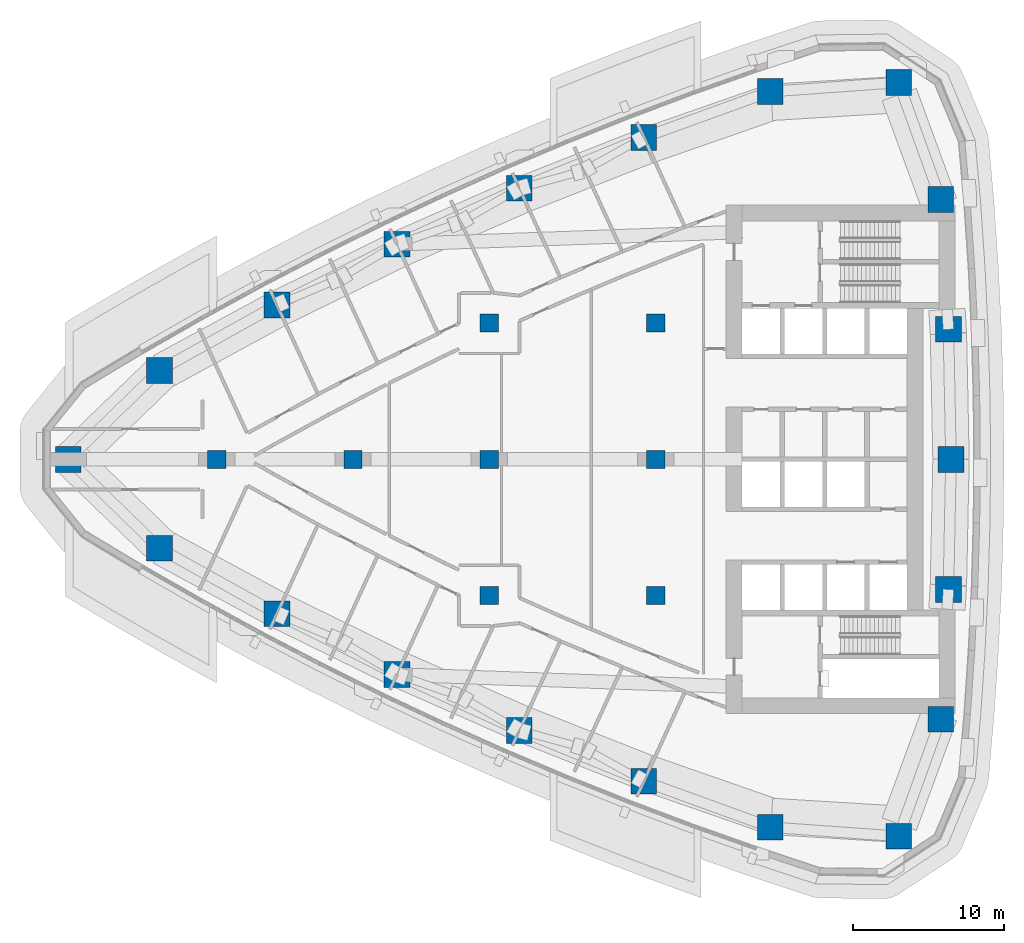
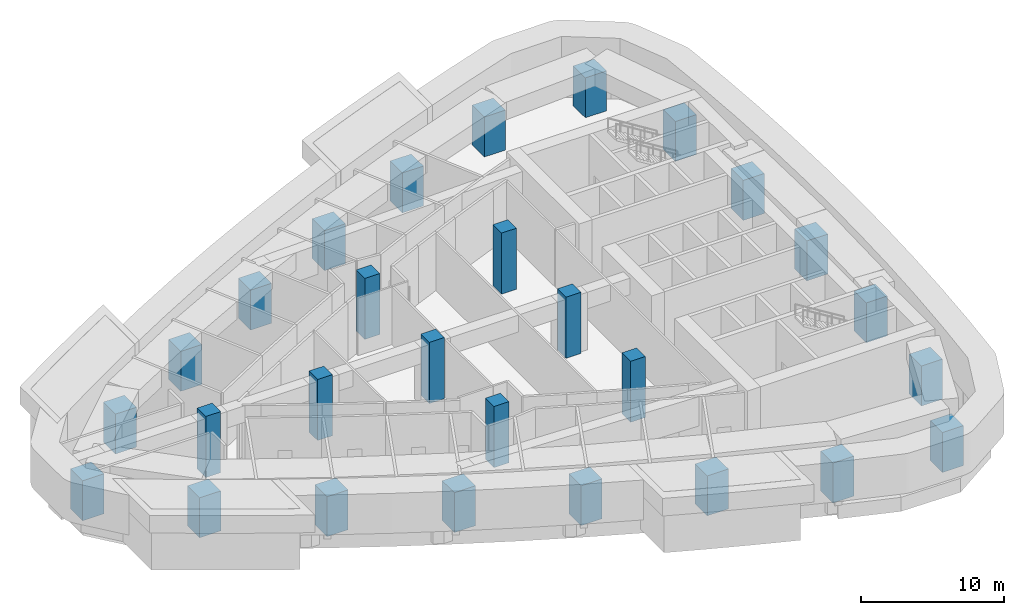
# One storey, part 1 of 19: 28 columns.
"""IFC4 building model written with IfcOpenShell, lengths in metres."""

from ifc_helpers import new_model, si_unit, direction, frame, origin, origin_2d, place, context, subcontext, project, spatial, rectangle, extrude, material, material_profile, profile_set, type_object, element, save


model = new_model("IFC4")

# Units and contexts
model_context = context("Model", 3, precision=1e-05, world=origin(), true_north=direction((0.0, 1.0)))
body_context = subcontext(model_context, "Body", "Model", "MODEL_VIEW")
ifc_project = project(units=[si_unit("LENGTHUNIT", "METRE"), si_unit("AREAUNIT", "SQUARE_METRE"), si_unit("VOLUMEUNIT", "CUBIC_METRE"), si_unit("PLANEANGLEUNIT", "RADIAN"), si_unit("MASSUNIT", "GRAM", prefix="KILO")], contexts=[model_context])

# Site, building, storey
site_placement = place(None, origin())
site = spatial("IfcSite", under=ifc_project, at=site_placement, CompositionType="ELEMENT")
building_placement = place(site_placement, origin())
building = spatial("IfcBuilding", under=site, at=building_placement, Name="Ostrand Prow Hotel Tower", CompositionType="ELEMENT")
storey_placement = place(building_placement, frame((0.0, 0.0, 120.39990234375)))
storey = spatial("IfcBuildingStorey", under=building, at=storey_placement, Name="L29", CompositionType="ELEMENT", Elevation=120.39990234375)

# Columns
ifc_material_1 = material(Name="Concrete C80/95", Category="concrete")
ifc_material_profile_1 = material_profile(ifc_material_1, rectangle(XDim=1.199951171875, YDim=1.199951171875, at=origin_2d()), Name="RC 1200x1200")
ifc_profile_set_1 = profile_set([ifc_material_profile_1], Name="Concrete C80/95")
column_type_1 = type_object("IfcColumnType", Name="Interior column 1200x1200 C80/95", PredefinedType="COLUMN", material=ifc_profile_set_1)
for number, where, z_axis, x_axis, name in (
    (1, (16.0, 0.0, 0.0), (0.0, 0.0, 1.0), (1.0, 0.0, 0.0), "Interior column 16C0"),
    (2, (25.0, 0.0, 0.0), (0.0, 0.0, 1.0), (1.0, 0.0, 0.0), "Interior column 25C0"),
    (3, (34.0, -9.0, 0.0), (0.0, 0.0, 1.0), (1.0, 0.0, 0.0), "Interior column 34S9"),
    (4, (34.0, 0.0, 0.0), (0.0, 0.0, 1.0), (1.0, 0.0, 0.0), "Interior column 34C0"),
    (5, (34.0, 9.0, 0.0), (0.0, 0.0, 1.0), (1.0, 0.0, 0.0), "Interior column 34N9"),
    (6, (45.0, -9.0, 0.0), (0.0, 0.0, 1.0), (1.0, 0.0, 0.0), "Interior column 45S9"),
    (7, (45.0, 0.0, 0.0), (0.0, 0.0, 1.0), (1.0, 0.0, 0.0), "Interior column 45C0"),
    (8, (45.0, 9.0, 0.0), (0.0, 0.0, 1.0), (1.0, 0.0, 0.0), "Interior column 45N9"),
):
    element("IfcColumn", number, at=place(storey_placement, frame(where, z_axis=z_axis, x_axis=x_axis)), inside=storey, type_object=column_type_1, Name=name, PredefinedType="COLUMN", context=body_context, shape_type="SweptSolid", body=[
        extrude(rectangle(XDim=1.199951171875, YDim=1.199951171875, at=origin_2d()), origin(), (0.0, 0.0, 1.0), 5.2001953125),
    ])
ifc_material_2 = material(Name="Concrete C80/95", Category="concrete")
ifc_material_profile_2 = material_profile(ifc_material_2, rectangle(XDim=1.699951171875, YDim=1.699951171875, at=origin_2d()), Name="RC 1700x1700")
ifc_profile_set_2 = profile_set([ifc_material_profile_2], Name="Concrete C80/95")
column_type_2 = type_object("IfcColumnType", Name="Stone-faced mega column 1700x1700 C80/95", PredefinedType="COLUMN", material=ifc_profile_set_2)
for number, where, z_axis, x_axis, name in (
    (9, (6.193115234375, 0.0, 0.0), (0.0, 0.0, 1.0), (1.0, 0.0, 0.0), "Mega column P"),
    (10, (12.221435546875, -5.876220703125, 0.0), (0.0, 0.0, 1.0), (1.0, 0.0, 0.0), "Mega column S1"),
    (11, (19.980712890625, -10.20166015625, 0.0), (0.0, 0.0, 1.0), (1.0, 0.0, 0.0), "Mega column S2"),
    (12, (27.906982421875, -14.212158203125, 0.0), (0.0, 0.0, 1.0), (1.0, 0.0, 0.0), "Mega column S3"),
    (13, (35.98828125, -17.901611328125, 0.0), (0.0, 0.0, 1.0), (1.0, 0.0, 0.0), "Mega column S4"),
    (14, (44.210693359375, -21.263671875, 0.0), (0.0, 0.0, 1.0), (1.0, 0.0, 0.0), "Mega column S5"),
    (15, (52.561767578125, -24.29296875, 0.0), (0.0, 0.0, 1.0), (1.0, 0.0, 0.0), "Mega column S6"),
    (16, (61.0400390625, -24.89697265625, 0.0), (0.0, 0.0, 1.0), (1.0, 0.0, 0.0), "Mega column SE"),
    (17, (63.815673828125, -17.16357421875, 0.0), (0.0, 0.0, 1.0), (1.0, 0.0, 0.0), "Mega column B1"),
    (18, (64.328857421875, -8.588623046875, 0.0), (0.0, 0.0, 1.0), (1.0, 0.0, 0.0), "Mega column B2"),
    (19, (64.5, 0.0, 0.0), (0.0, 0.0, 1.0), (1.0, 0.0, 0.0), "Mega column B3"),
    (20, (64.328857421875, 8.588623046875, 0.0), (0.0, 0.0, 1.0), (1.0, 0.0, 0.0), "Mega column B4"),
    (21, (63.815673828125, 17.16357421875, 0.0), (0.0, 0.0, 1.0), (1.0, 0.0, 0.0), "Mega column B5"),
    (22, (61.0400390625, 24.89697265625, 0.0), (0.0, 0.0, 1.0), (1.0, 0.0, 0.0), "Mega column NE"),
    (23, (52.561767578125, 24.29296875, 0.0), (0.0, 0.0, 1.0), (1.0, 0.0, 0.0), "Mega column N1"),
    (24, (44.210693359375, 21.263671875, 0.0), (0.0, 0.0, 1.0), (1.0, 0.0, 0.0), "Mega column N2"),
    (25, (35.98828125, 17.901611328125, 0.0), (0.0, 0.0, 1.0), (1.0, 0.0, 0.0), "Mega column N3"),
    (26, (27.906982421875, 14.212158203125, 0.0), (0.0, 0.0, 1.0), (1.0, 0.0, 0.0), "Mega column N4"),
    (27, (19.980712890625, 10.20166015625, 0.0), (0.0, 0.0, 1.0), (1.0, 0.0, 0.0), "Mega column N5"),
    (28, (12.221435546875, 5.876220703125, 0.0), (0.0, 0.0, 1.0), (1.0, 0.0, 0.0), "Mega column N6"),
):
    element("IfcColumn", number, at=place(storey_placement, frame(where, z_axis=z_axis, x_axis=x_axis)), inside=storey, type_object=column_type_2, Name=name, PredefinedType="COLUMN", context=body_context, shape_type="SweptSolid", body=[
        extrude(rectangle(XDim=1.699951171875, YDim=1.699951171875, at=origin_2d()), origin(), (0.0, 0.0, 1.0), 3.400146484375),
    ])

save(model, "model.ifc")
